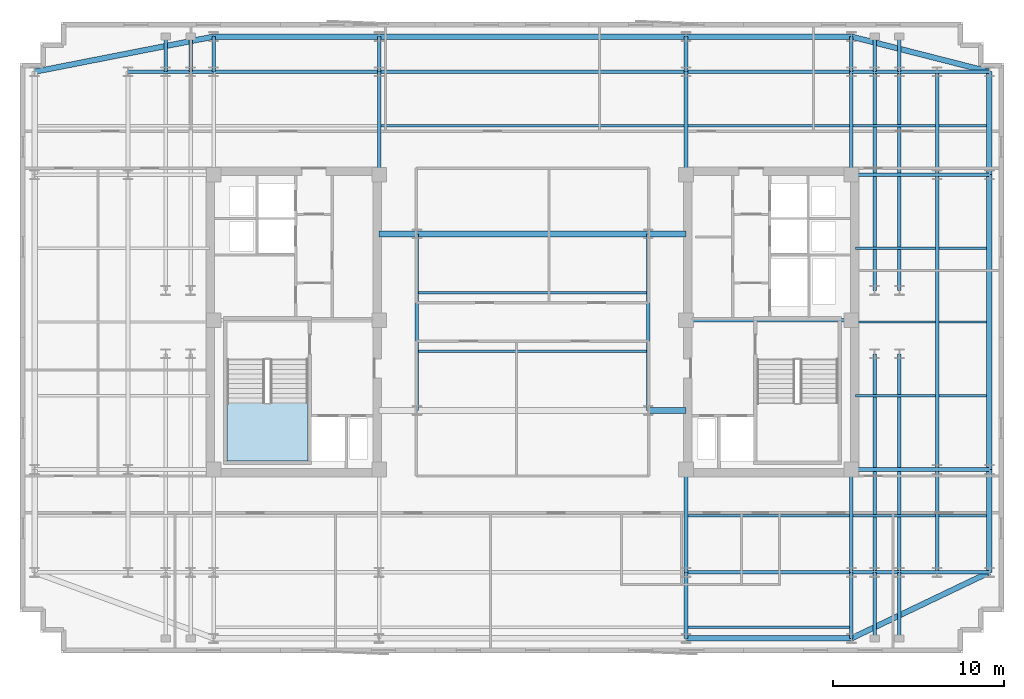
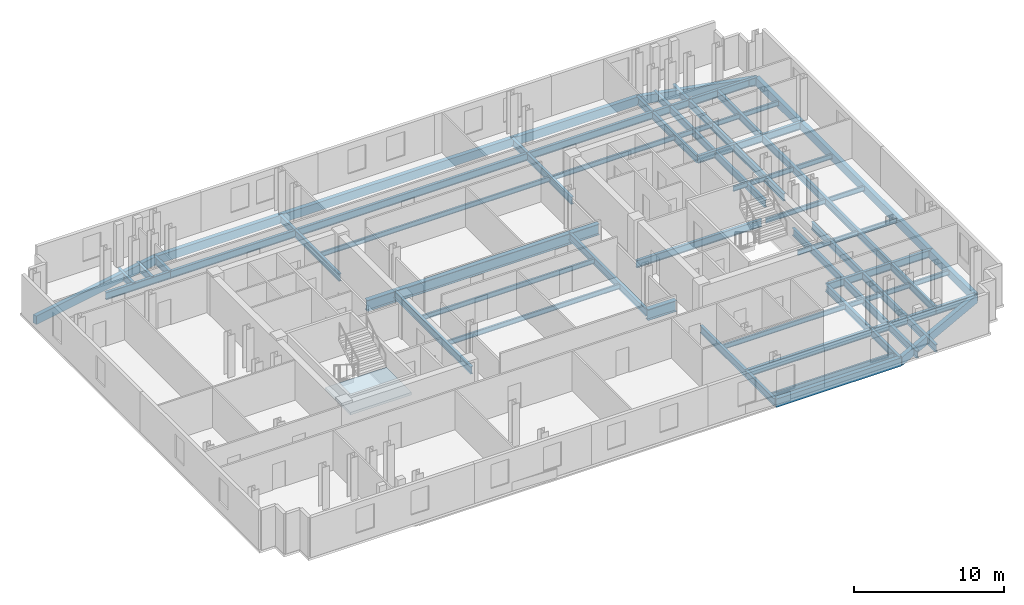
# One storey, part 2 of 9: 70 beams, 1 slab, 1 element without a shape of its own.
"""IFC4 building model written with IfcOpenShell, lengths in metres."""

from ifc_helpers import new_model, si_unit, direction, frame, origin, origin_2d, place, context, subcontext, project, spatial, polyline, rectangle, i_section, outline, extrude, material, layer, layer_set, material_profile, profile_set, type_object, element, aggregate, save


model = new_model("IFC4")

# Units and contexts
model_context = context("Model", 3, precision=1e-05, world=origin(), true_north=direction((0.0, 1.0)))
body_context = subcontext(model_context, "Body", "Model", "MODEL_VIEW")
ifc_project = project(units=[si_unit("LENGTHUNIT", "METRE"), si_unit("AREAUNIT", "SQUARE_METRE"), si_unit("VOLUMEUNIT", "CUBIC_METRE"), si_unit("PLANEANGLEUNIT", "RADIAN"), si_unit("MASSUNIT", "GRAM", prefix="KILO")], contexts=[model_context])

# Site, building, storey
site_placement = place(None, origin())
site = spatial("IfcSite", under=ifc_project, at=site_placement, CompositionType="ELEMENT")
building_placement = place(site_placement, origin())
building = spatial("IfcBuilding", under=site, at=building_placement, Name="Velakula Bourse", CompositionType="ELEMENT")
storey_placement = place(building_placement, frame((0.0, 0.0, 225.75)))
storey = spatial("IfcBuildingStorey", under=building, at=storey_placement, Name="L61", CompositionType="ELEMENT", Elevation=225.75)

# Beams
ifc_material_1 = material(Name="Steel IS 2062 Grade 350 (E350)", Category="steel")
ifc_material_profile_1 = material_profile(ifc_material_1, i_section(OverallWidth=0.2099609375, OverallDepth=0.60009765625, WebThickness=0.011962890625, FlangeThickness=0.020751953125, at=origin_2d()), Name="Steel IS 2062 Grade 350 (E350)")
ifc_profile_set_1 = profile_set([ifc_material_profile_1], Name="Steel IS 2062 Grade 350 (E350)")
beam_type_1 = type_object("IfcBeamType", Name="BM-GRD-600L", PredefinedType="BEAM", material=ifc_profile_set_1)
beam_1_placement = place(storey_placement, frame((8.949951171875, 0.10009765625, -0.47998046875), z_axis=(1.0, 0.0, 0.0), x_axis=(0.0, 1.0, 0.0)))
element("IfcBeam", 1, at=beam_1_placement, inside=storey, type_object=beam_type_1, Name="L61 Primary Backbone Girder CRE-M", PredefinedType="BEAM", context=body_context, shape_type="SweptSolid", body=[
    extrude(i_section(OverallWidth=0.2099609375, OverallDepth=0.60009765625, WebThickness=0.011962890625, FlangeThickness=0.020751953125, at=origin_2d()), origin(), (0.0, 0.0, 1.0), 9.650146484375),
])
for number, where, z_axis, x_axis, name in (
    (2, (-6.75, -5.14990234375, -0.47998046875), (0.0, 1.0, 0.0), (-1.0, 0.0, 0.0), "L61 Primary Backbone Girder SPN-W"),
    (3, (6.75, -5.14990234375, -0.47998046875), (0.0, 1.0, 0.0), (-1.0, 0.0, 0.0), "L61 Primary Backbone Girder SPN-E"),
):
    element("IfcBeam", number, at=place(storey_placement, frame(where, z_axis=z_axis, x_axis=x_axis)), inside=storey, type_object=beam_type_1, Name=name, PredefinedType="BEAM", context=body_context, shape_type="SweptSolid", body=[
        extrude(i_section(OverallWidth=0.2099609375, OverallDepth=0.60009765625, WebThickness=0.011962890625, FlangeThickness=0.020751953125, at=origin_2d()), origin(), (0.0, 0.0, 1.0), 10.2998046875),
    ])
for number, where, z_axis, x_axis, name in (
    (4, (-8.949951171875, 8.60009765625, -0.47998046875), (0.0, 1.0, 0.0), (-1.0, 0.0, 0.0), "L61 Fulcrum Grid Girder FLC-WCN"),
    (5, (8.949951171875, -14.60009765625, -0.47998046875), (0.0, 1.0, 0.0), (-1.0, 0.0, 0.0), "L61 Fulcrum Grid Girder FLC-ECS"),
    (6, (8.949951171875, 8.60009765625, -0.47998046875), (0.0, 1.0, 0.0), (-1.0, 0.0, 0.0), "L61 Fulcrum Grid Girder FLC-ECN"),
    (7, (18.60009765625, -14.60009765625, -0.47998046875), (0.0, 1.0, 0.0), (-1.0, 0.0, 0.0), "L61 Fulcrum Grid Girder FLC-ES"),
    (8, (18.60009765625, 8.60009765625, -0.47998046875), (0.0, 1.0, 0.0), (-1.0, 0.0, 0.0), "L61 Fulcrum Grid Girder FLC-EN"),
):
    element("IfcBeam", number, at=place(storey_placement, frame(where, z_axis=z_axis, x_axis=x_axis)), inside=storey, type_object=beam_type_1, Name=name, PredefinedType="BEAM", context=body_context, shape_type="SweptSolid", body=[
        extrude(i_section(OverallWidth=0.2099609375, OverallDepth=0.60009765625, WebThickness=0.011962890625, FlangeThickness=0.020751953125, at=origin_2d()), origin(), (0.0, 0.0, 1.0), 6.0),
    ])
for number, where, z_axis, x_axis, name in (
    (9, (8.949951171875, -14.60009765625, -0.47998046875), (1.0, 0.0, 0.0), (0.0, 1.0, 0.0), "L61 Fulcrum Grid Girder FLC-S3"),
    (10, (-18.60009765625, 14.60009765625, -0.47998046875), (1.0, 0.0, 0.0), (0.0, 1.0, 0.0), "L61 Fulcrum Grid Girder FLC-N1"),
):
    element("IfcBeam", number, at=place(storey_placement, frame(where, z_axis=z_axis, x_axis=x_axis)), inside=storey, type_object=beam_type_1, Name=name, PredefinedType="BEAM", context=body_context, shape_type="SweptSolid", body=[
        extrude(i_section(OverallWidth=0.2099609375, OverallDepth=0.60009765625, WebThickness=0.011962890625, FlangeThickness=0.020751953125, at=origin_2d()), origin(), (0.0, 0.0, 1.0), 9.650146484375),
    ])
beam_2_placement = place(storey_placement, frame((-8.949951171875, 14.60009765625, -0.47998046875), z_axis=(1.0, 0.0, 0.0), x_axis=(0.0, 1.0, 0.0)))
element("IfcBeam", 11, at=beam_2_placement, inside=storey, type_object=beam_type_1, Name="L61 Fulcrum Grid Girder FLC-N2", PredefinedType="BEAM", context=body_context, shape_type="SweptSolid", body=[
    extrude(i_section(OverallWidth=0.2099609375, OverallDepth=0.60009765625, WebThickness=0.011962890625, FlangeThickness=0.020751953125, at=origin_2d()), origin(), (0.0, 0.0, 1.0), 17.89990234375),
])
beam_3_placement = place(storey_placement, frame((8.949951171875, 14.60009765625, -0.47998046875), z_axis=(1.0, 0.0, 0.0), x_axis=(0.0, 1.0, 0.0)))
element("IfcBeam", 12, at=beam_3_placement, inside=storey, type_object=beam_type_1, Name="L61 Fulcrum Grid Girder FLC-N3", PredefinedType="BEAM", context=body_context, shape_type="SweptSolid", body=[
    extrude(i_section(OverallWidth=0.2099609375, OverallDepth=0.60009765625, WebThickness=0.011962890625, FlangeThickness=0.020751953125, at=origin_2d()), origin(), (0.0, 0.0, 1.0), 9.650146484375),
])
for number, where, z_axis, x_axis, name in (
    (13, (19.949951171875, -14.60009765625, -0.47998046875), (0.0, 1.0, 0.0), (-1.0, 0.0, 0.0), "L61 Fulcrum Grid Girder FLC-PSE1"),
    (14, (19.949951171875, 1.85009765625, -0.47998046875), (0.0, 1.0, 0.0), (-1.0, 0.0, 0.0), "L61 Fulcrum Grid Girder FLC-PNE1"),
    (15, (21.39990234375, -14.60009765625, -0.47998046875), (0.0, 1.0, 0.0), (-1.0, 0.0, 0.0), "L61 Fulcrum Grid Girder FLC-PSE2"),
    (16, (21.39990234375, 1.85009765625, -0.47998046875), (0.0, 1.0, 0.0), (-1.0, 0.0, 0.0), "L61 Fulcrum Grid Girder FLC-PNE2"),
):
    element("IfcBeam", number, at=place(storey_placement, frame(where, z_axis=z_axis, x_axis=x_axis)), inside=storey, type_object=beam_type_1, Name=name, PredefinedType="BEAM", context=body_context, shape_type="SweptSolid", body=[
        extrude(i_section(OverallWidth=0.2099609375, OverallDepth=0.60009765625, WebThickness=0.011962890625, FlangeThickness=0.020751953125, at=origin_2d()), origin(), (0.0, 0.0, 1.0), 12.75),
    ])
for number, where, z_axis, x_axis, name in (
    (17, (-23.60009765625, 14.60009765625, -0.47998046875), (1.0, 0.0, 0.0), (0.0, 1.0, 0.0), "L61 Fulcrum Grid Girder MWG-WN2"),
    (18, (18.60009765625, -14.60009765625, -0.47998046875), (1.0, 0.0, 0.0), (0.0, 1.0, 0.0), "L61 Fulcrum Grid Girder MWG-ES1"),
    (19, (18.60009765625, -8.60009765625, -0.47998046875), (1.0, 0.0, 0.0), (0.0, 1.0, 0.0), "L61 Fulcrum Grid Girder MWG-ES2"),
    (20, (18.60009765625, 8.60009765625, -0.47998046875), (1.0, 0.0, 0.0), (0.0, 1.0, 0.0), "L61 Fulcrum Grid Girder MWG-EN1"),
    (21, (18.60009765625, 14.60009765625, -0.47998046875), (1.0, 0.0, 0.0), (0.0, 1.0, 0.0), "L61 Fulcrum Grid Girder MWG-EN2"),
):
    element("IfcBeam", number, at=place(storey_placement, frame(where, z_axis=z_axis, x_axis=x_axis)), inside=storey, type_object=beam_type_1, Name=name, PredefinedType="BEAM", context=body_context, shape_type="SweptSolid", body=[
        extrude(i_section(OverallWidth=0.2099609375, OverallDepth=0.60009765625, WebThickness=0.011962890625, FlangeThickness=0.020751953125, at=origin_2d()), origin(), (0.0, 0.0, 1.0), 5.0),
    ])
beam_4_placement = place(storey_placement, frame((23.60009765625, -14.60009765625, -0.47998046875), z_axis=(0.0, 1.0, 0.0), x_axis=(-1.0, 0.0, 0.0)))
element("IfcBeam", 22, at=beam_4_placement, inside=storey, type_object=beam_type_1, Name="L61 Fulcrum Grid Girder MWG-ENS1", PredefinedType="BEAM", context=body_context, shape_type="SweptSolid", body=[
    extrude(i_section(OverallWidth=0.2099609375, OverallDepth=0.60009765625, WebThickness=0.011962890625, FlangeThickness=0.020751953125, at=origin_2d()), origin(), (0.0, 0.0, 1.0), 6.0),
])
beam_5_placement = place(storey_placement, frame((23.60009765625, -8.60009765625, -0.47998046875), z_axis=(0.0, 1.0, 0.0), x_axis=(-1.0, 0.0, 0.0)))
element("IfcBeam", 23, at=beam_5_placement, inside=storey, type_object=beam_type_1, Name="L61 Fulcrum Grid Girder MWG-ENS2", PredefinedType="BEAM", context=body_context, shape_type="SweptSolid", body=[
    extrude(i_section(OverallWidth=0.2099609375, OverallDepth=0.60009765625, WebThickness=0.011962890625, FlangeThickness=0.020751953125, at=origin_2d()), origin(), (0.0, 0.0, 1.0), 17.2001953125),
])
beam_6_placement = place(storey_placement, frame((23.60009765625, 8.60009765625, -0.47998046875), z_axis=(0.0, 1.0, 0.0), x_axis=(-1.0, 0.0, 0.0)))
element("IfcBeam", 24, at=beam_6_placement, inside=storey, type_object=beam_type_1, Name="L61 Fulcrum Grid Girder MWG-ENS3", PredefinedType="BEAM", context=body_context, shape_type="SweptSolid", body=[
    extrude(i_section(OverallWidth=0.2099609375, OverallDepth=0.60009765625, WebThickness=0.011962890625, FlangeThickness=0.020751953125, at=origin_2d()), origin(), (0.0, 0.0, 1.0), 6.0),
])
for number, where, z_axis, x_axis, name in (
    (25, (8.949951171875, -14.60009765625, -0.47998046875), (0.0, -1.0, 0.0), (1.0, 0.0, 0.0), "L61 Perimeter Tie Girder S3"),
    (26, (18.60009765625, -14.60009765625, -0.47998046875), (0.0, -1.0, 0.0), (1.0, 0.0, 0.0), "L61 Perimeter Tie Girder S4"),
):
    element("IfcBeam", number, at=place(storey_placement, frame(where, z_axis=z_axis, x_axis=x_axis)), inside=storey, type_object=beam_type_1, Name=name, PredefinedType="BEAM", context=body_context, shape_type="SweptSolid", body=[
        extrude(i_section(OverallWidth=0.2099609375, OverallDepth=0.60009765625, WebThickness=0.011962890625, FlangeThickness=0.020751953125, at=origin_2d()), origin(), (0.0, 0.0, 1.0), 3.849853515625),
    ])
for number, where, z_axis, x_axis, name in (
    (27, (-18.60009765625, 14.60009765625, -0.47998046875), (0.0, 1.0, 0.0), (-1.0, 0.0, 0.0), "L61 Perimeter Tie Girder N1"),
    (28, (-8.949951171875, 14.60009765625, -0.47998046875), (0.0, 1.0, 0.0), (-1.0, 0.0, 0.0), "L61 Perimeter Tie Girder N2"),
    (29, (8.949951171875, 14.60009765625, -0.47998046875), (0.0, 1.0, 0.0), (-1.0, 0.0, 0.0), "L61 Perimeter Tie Girder N3"),
    (30, (18.60009765625, 14.60009765625, -0.47998046875), (0.0, 1.0, 0.0), (-1.0, 0.0, 0.0), "L61 Perimeter Tie Girder N4"),
):
    element("IfcBeam", number, at=place(storey_placement, frame(where, z_axis=z_axis, x_axis=x_axis)), inside=storey, type_object=beam_type_1, Name=name, PredefinedType="BEAM", context=body_context, shape_type="SweptSolid", body=[
        extrude(i_section(OverallWidth=0.2099609375, OverallDepth=0.60009765625, WebThickness=0.011962890625, FlangeThickness=0.020751953125, at=origin_2d()), origin(), (0.0, 0.0, 1.0), 2.0498046875),
    ])
for number, where, z_axis, x_axis, name in (
    (31, (23.60009765625, -14.60009765625, -0.47998046875), (1.0, 0.0, 0.0), (0.0, 1.0, 0.0), "L61 Perimeter Tie Girder E1"),
    (32, (23.60009765625, -8.60009765625, -0.47998046875), (1.0, 0.0, 0.0), (0.0, 1.0, 0.0), "L61 Perimeter Tie Girder E2"),
    (33, (23.60009765625, 8.60009765625, -0.47998046875), (1.0, 0.0, 0.0), (0.0, 1.0, 0.0), "L61 Perimeter Tie Girder E3"),
    (34, (23.60009765625, 14.60009765625, -0.47998046875), (1.0, 0.0, 0.0), (0.0, 1.0, 0.0), "L61 Perimeter Tie Girder E4"),
):
    element("IfcBeam", number, at=place(storey_placement, frame(where, z_axis=z_axis, x_axis=x_axis)), inside=storey, type_object=beam_type_1, Name=name, PredefinedType="BEAM", context=body_context, shape_type="SweptSolid", body=[
        extrude(i_section(OverallWidth=0.2099609375, OverallDepth=0.60009765625, WebThickness=0.011962890625, FlangeThickness=0.020751953125, at=origin_2d()), origin(), (0.0, 0.0, 1.0), 3.0498046875),
    ])
for number, where, z_axis, x_axis, name in (
    (35, (19.949951171875, -14.60009765625, -0.47998046875), (0.0, -1.0, 0.0), (1.0, 0.0, 0.0), "L61 Perimeter Tie Girder P03"),
    (36, (21.39990234375, -14.60009765625, -0.47998046875), (0.0, -1.0, 0.0), (1.0, 0.0, 0.0), "L61 Perimeter Tie Girder P04"),
):
    element("IfcBeam", number, at=place(storey_placement, frame(where, z_axis=z_axis, x_axis=x_axis)), inside=storey, type_object=beam_type_1, Name=name, PredefinedType="BEAM", context=body_context, shape_type="SweptSolid", body=[
        extrude(i_section(OverallWidth=0.2099609375, OverallDepth=0.60009765625, WebThickness=0.011962890625, FlangeThickness=0.020751953125, at=origin_2d()), origin(), (0.0, 0.0, 1.0), 3.849853515625),
    ])
for number, where, z_axis, x_axis, name in (
    (37, (-21.39990234375, 14.60009765625, -0.47998046875), (0.0, 1.0, 0.0), (-1.0, 0.0, 0.0), "L61 Perimeter Tie Girder P05"),
    (38, (-19.949951171875, 14.60009765625, -0.47998046875), (0.0, 1.0, 0.0), (-1.0, 0.0, 0.0), "L61 Perimeter Tie Girder P06"),
    (39, (19.949951171875, 14.60009765625, -0.47998046875), (0.0, 1.0, 0.0), (-1.0, 0.0, 0.0), "L61 Perimeter Tie Girder P07"),
    (40, (21.39990234375, 14.60009765625, -0.47998046875), (0.0, 1.0, 0.0), (-1.0, 0.0, 0.0), "L61 Perimeter Tie Girder P08"),
):
    element("IfcBeam", number, at=place(storey_placement, frame(where, z_axis=z_axis, x_axis=x_axis)), inside=storey, type_object=beam_type_1, Name=name, PredefinedType="BEAM", context=body_context, shape_type="SweptSolid", body=[
        extrude(i_section(OverallWidth=0.2099609375, OverallDepth=0.60009765625, WebThickness=0.011962890625, FlangeThickness=0.020751953125, at=origin_2d()), origin(), (0.0, 0.0, 1.0), 2.0498046875),
    ])
ifc_material_profile_2 = material_profile(ifc_material_1, i_section(OverallWidth=0.35009765625, OverallDepth=0.89990234375, WebThickness=0.02001953125, FlangeThickness=0.031982421875, at=origin_2d()), Name="Steel IS 2062 Grade 350 (E350)")
ifc_profile_set_2 = profile_set([ifc_material_profile_2], Name="Steel IS 2062 Grade 350 (E350)")
beam_type_2 = type_object("IfcBeamType", Name="BM-LNK-900", PredefinedType="BEAM", material=ifc_profile_set_2)
for number, where, z_axis, x_axis, name in (
    (41, (6.75, -5.14990234375, -0.6298828125), (1.0, 0.0, 0.0), (0.0, 1.0, 0.0), "L61 Primary Backbone Girder LNK-S3"),
    (42, (-8.949951171875, 5.14990234375, -0.6298828125), (1.0, 0.0, 0.0), (0.0, 1.0, 0.0), "L61 Primary Backbone Girder LNK-N1"),
):
    element("IfcBeam", number, at=place(storey_placement, frame(where, z_axis=z_axis, x_axis=x_axis)), inside=storey, type_object=beam_type_2, Name=name, PredefinedType="BEAM", context=body_context, shape_type="SweptSolid", body=[
        extrude(i_section(OverallWidth=0.35009765625, OverallDepth=0.89990234375, WebThickness=0.02001953125, FlangeThickness=0.031982421875, at=origin_2d()), origin(), (0.0, 0.0, 1.0), 2.199951171875),
    ])
beam_7_placement = place(storey_placement, frame((-6.75, 5.14990234375, -0.6298828125), z_axis=(1.0, 0.0, 0.0), x_axis=(0.0, 1.0, 0.0)))
element("IfcBeam", 43, at=beam_7_placement, inside=storey, type_object=beam_type_2, Name="L61 Primary Backbone Girder LNK-N2", PredefinedType="BEAM", context=body_context, shape_type="SweptSolid", body=[
    extrude(i_section(OverallWidth=0.35009765625, OverallDepth=0.89990234375, WebThickness=0.02001953125, FlangeThickness=0.031982421875, at=origin_2d()), origin(), (0.0, 0.0, 1.0), 13.5),
])
beam_8_placement = place(storey_placement, frame((6.75, 5.14990234375, -0.6298828125), z_axis=(1.0, 0.0, 0.0), x_axis=(0.0, 1.0, 0.0)))
element("IfcBeam", 44, at=beam_8_placement, inside=storey, type_object=beam_type_2, Name="L61 Primary Backbone Girder LNK-N3", PredefinedType="BEAM", context=body_context, shape_type="SweptSolid", body=[
    extrude(i_section(OverallWidth=0.35009765625, OverallDepth=0.89990234375, WebThickness=0.02001953125, FlangeThickness=0.031982421875, at=origin_2d()), origin(), (0.0, 0.0, 1.0), 2.199951171875),
])
ifc_material_profile_3 = material_profile(ifc_material_1, i_section(OverallWidth=0.139892578125, OverallDepth=0.39990234375, WebThickness=0.0087890625, FlangeThickness=0.01611328125, at=origin_2d()), Name="Steel IS 2062 Grade 350 (E350)")
ifc_profile_set_3 = profile_set([ifc_material_profile_3], Name="Steel IS 2062 Grade 350 (E350)")
beam_type_3 = type_object("IfcBeamType", Name="JST-TWR-400", PredefinedType="JOIST", material=ifc_profile_set_3)
for number, where, z_axis, x_axis, name in (
    (45, (9.054931640625, -17.800048828125, -0.3798828125), (1.0, 0.0, 0.0), (0.0, 1.0, 0.0), "L61 Trading Floor Composite Joist 03"),
    (46, (9.054931640625, -11.300048828125, -0.3798828125), (1.0, 0.0, 0.0), (0.0, 1.0, 0.0), "L61 Trading Floor Composite Joist 08"),
):
    element("IfcBeam", number, at=place(storey_placement, frame(where, z_axis=z_axis, x_axis=x_axis)), inside=storey, type_object=beam_type_3, Name=name, PredefinedType="JOIST", context=body_context, shape_type="SweptSolid", body=[
        extrude(i_section(OverallWidth=0.139892578125, OverallDepth=0.39990234375, WebThickness=0.0087890625, FlangeThickness=0.01611328125, at=origin_2d()), origin(), (0.0, 0.0, 1.0), 9.440185546875),
    ])
beam_9_placement = place(storey_placement, frame((18.705078125, -11.300048828125, -0.3798828125), z_axis=(1.0, 0.0, 0.0), x_axis=(0.0, 1.0, 0.0)))
element("IfcBeam", 47, at=beam_9_placement, inside=storey, type_object=beam_type_3, Name="L61 Trading Floor Composite Joist 09", PredefinedType="JOIST", context=body_context, shape_type="SweptSolid", body=[
    extrude(i_section(OverallWidth=0.139892578125, OverallDepth=0.39990234375, WebThickness=0.0087890625, FlangeThickness=0.01611328125, at=origin_2d()), origin(), (0.0, 0.0, 1.0), 4.7900390625),
])
beam_10_placement = place(storey_placement, frame((23.705078125, -11.300048828125, -0.3798828125), z_axis=(1.0, 0.0, 0.0), x_axis=(0.0, 1.0, 0.0)))
element("IfcBeam", 48, at=beam_10_placement, inside=storey, type_object=beam_type_3, Name="L61 Trading Floor Composite Joist 10", PredefinedType="JOIST", context=body_context, shape_type="SweptSolid", body=[
    extrude(i_section(OverallWidth=0.139892578125, OverallDepth=0.39990234375, WebThickness=0.0087890625, FlangeThickness=0.01611328125, at=origin_2d()), origin(), (0.0, 0.0, 1.0), 2.784912109375),
])
beam_11_placement = place(storey_placement, frame((-8.844970703125, 11.449951171875, -0.3798828125), z_axis=(1.0, 0.0, 0.0), x_axis=(0.0, 1.0, 0.0)))
element("IfcBeam", 49, at=beam_11_placement, inside=storey, type_object=beam_type_3, Name="L61 Trading Floor Composite Joist 14", PredefinedType="JOIST", context=body_context, shape_type="SweptSolid", body=[
    extrude(i_section(OverallWidth=0.139892578125, OverallDepth=0.39990234375, WebThickness=0.0087890625, FlangeThickness=0.01611328125, at=origin_2d()), origin(), (0.0, 0.0, 1.0), 17.68994140625),
])
beam_12_placement = place(storey_placement, frame((9.054931640625, 11.449951171875, -0.3798828125), z_axis=(1.0, 0.0, 0.0), x_axis=(0.0, 1.0, 0.0)))
element("IfcBeam", 50, at=beam_12_placement, inside=storey, type_object=beam_type_3, Name="L61 Trading Floor Composite Joist 15", PredefinedType="JOIST", context=body_context, shape_type="SweptSolid", body=[
    extrude(i_section(OverallWidth=0.139892578125, OverallDepth=0.39990234375, WebThickness=0.0087890625, FlangeThickness=0.01611328125, at=origin_2d()), origin(), (0.0, 0.0, 1.0), 9.440185546875),
])
beam_13_placement = place(storey_placement, frame((18.705078125, 11.449951171875, -0.3798828125), z_axis=(1.0, 0.0, 0.0), x_axis=(0.0, 1.0, 0.0)))
element("IfcBeam", 51, at=beam_13_placement, inside=storey, type_object=beam_type_3, Name="L61 Trading Floor Composite Joist 16", PredefinedType="JOIST", context=body_context, shape_type="SweptSolid", body=[
    extrude(i_section(OverallWidth=0.139892578125, OverallDepth=0.39990234375, WebThickness=0.0087890625, FlangeThickness=0.01611328125, at=origin_2d()), origin(), (0.0, 0.0, 1.0), 4.7900390625),
])
beam_14_placement = place(storey_placement, frame((23.705078125, 11.449951171875, -0.3798828125), z_axis=(1.0, 0.0, 0.0), x_axis=(0.0, 1.0, 0.0)))
element("IfcBeam", 52, at=beam_14_placement, inside=storey, type_object=beam_type_3, Name="L61 Trading Floor Composite Joist 17", PredefinedType="JOIST", context=body_context, shape_type="SweptSolid", body=[
    extrude(i_section(OverallWidth=0.139892578125, OverallDepth=0.39990234375, WebThickness=0.0087890625, FlangeThickness=0.01611328125, at=origin_2d()), origin(), (0.0, 0.0, 1.0), 2.784912109375),
])
for number, where, z_axis, x_axis, name in (
    (53, (-6.64501953125, -1.699951171875, -0.3798828125), (1.0, 0.0, 0.0), (0.0, 1.0, 0.0), "L61 Trading Floor Composite Joist 18"),
    (54, (-6.64501953125, 1.699951171875, -0.3798828125), (1.0, 0.0, 0.0), (0.0, 1.0, 0.0), "L61 Trading Floor Composite Joist 19"),
):
    element("IfcBeam", number, at=place(storey_placement, frame(where, z_axis=z_axis, x_axis=x_axis)), inside=storey, type_object=beam_type_3, Name=name, PredefinedType="JOIST", context=body_context, shape_type="SweptSolid", body=[
        extrude(i_section(OverallWidth=0.139892578125, OverallDepth=0.39990234375, WebThickness=0.0087890625, FlangeThickness=0.01611328125, at=origin_2d()), origin(), (0.0, 0.0, 1.0), 13.2900390625),
    ])
beam_15_placement = place(storey_placement, frame((18.85009765625, -4.300048828125, -0.3798828125), z_axis=(1.0, 0.0, 0.0), x_axis=(0.0, 1.0, 0.0)))
element("IfcBeam", 55, at=beam_15_placement, inside=storey, type_object=beam_type_3, Name="L61 Trading Floor Composite Joist 22", PredefinedType="JOIST", context=body_context, shape_type="SweptSolid", body=[
    extrude(i_section(OverallWidth=0.139892578125, OverallDepth=0.39990234375, WebThickness=0.0087890625, FlangeThickness=0.01611328125, at=origin_2d()), origin(), (0.0, 0.0, 1.0), 4.64501953125),
])
beam_16_placement = place(storey_placement, frame((23.705078125, -4.300048828125, -0.3798828125), z_axis=(1.0, 0.0, 0.0), x_axis=(0.0, 1.0, 0.0)))
element("IfcBeam", 56, at=beam_16_placement, inside=storey, type_object=beam_type_3, Name="L61 Trading Floor Composite Joist 23", PredefinedType="JOIST", context=body_context, shape_type="SweptSolid", body=[
    extrude(i_section(OverallWidth=0.139892578125, OverallDepth=0.39990234375, WebThickness=0.0087890625, FlangeThickness=0.01611328125, at=origin_2d()), origin(), (0.0, 0.0, 1.0), 2.784912109375),
])
beam_17_placement = place(storey_placement, frame((18.85009765625, 0.0, -0.3798828125), z_axis=(1.0, 0.0, 0.0), x_axis=(0.0, 1.0, 0.0)))
element("IfcBeam", 57, at=beam_17_placement, inside=storey, type_object=beam_type_3, Name="L61 Trading Floor Composite Joist 26", PredefinedType="JOIST", context=body_context, shape_type="SweptSolid", body=[
    extrude(i_section(OverallWidth=0.139892578125, OverallDepth=0.39990234375, WebThickness=0.0087890625, FlangeThickness=0.01611328125, at=origin_2d()), origin(), (0.0, 0.0, 1.0), 4.64501953125),
])
beam_18_placement = place(storey_placement, frame((23.705078125, 0.0, -0.3798828125), z_axis=(1.0, 0.0, 0.0), x_axis=(0.0, 1.0, 0.0)))
element("IfcBeam", 58, at=beam_18_placement, inside=storey, type_object=beam_type_3, Name="L61 Trading Floor Composite Joist 27", PredefinedType="JOIST", context=body_context, shape_type="SweptSolid", body=[
    extrude(i_section(OverallWidth=0.139892578125, OverallDepth=0.39990234375, WebThickness=0.0087890625, FlangeThickness=0.01611328125, at=origin_2d()), origin(), (0.0, 0.0, 1.0), 2.784912109375),
])
beam_19_placement = place(storey_placement, frame((18.85009765625, 4.300048828125, -0.3798828125), z_axis=(1.0, 0.0, 0.0), x_axis=(0.0, 1.0, 0.0)))
element("IfcBeam", 59, at=beam_19_placement, inside=storey, type_object=beam_type_3, Name="L61 Trading Floor Composite Joist 30", PredefinedType="JOIST", context=body_context, shape_type="SweptSolid", body=[
    extrude(i_section(OverallWidth=0.139892578125, OverallDepth=0.39990234375, WebThickness=0.0087890625, FlangeThickness=0.01611328125, at=origin_2d()), origin(), (0.0, 0.0, 1.0), 4.64501953125),
])
beam_20_placement = place(storey_placement, frame((23.705078125, 4.300048828125, -0.3798828125), z_axis=(1.0, 0.0, 0.0), x_axis=(0.0, 1.0, 0.0)))
element("IfcBeam", 60, at=beam_20_placement, inside=storey, type_object=beam_type_3, Name="L61 Trading Floor Composite Joist 31", PredefinedType="JOIST", context=body_context, shape_type="SweptSolid", body=[
    extrude(i_section(OverallWidth=0.139892578125, OverallDepth=0.39990234375, WebThickness=0.0087890625, FlangeThickness=0.01611328125, at=origin_2d()), origin(), (0.0, 0.0, 1.0), 2.784912109375),
])
ifc_material_2 = material(Name="Precast concrete M45 (fck 45 MPa)", Category="concrete")
ifc_material_profile_4 = material_profile(ifc_material_2, rectangle(XDim=0.320068359375, YDim=0.679931640625, at=origin_2d()), Name="Precast concrete M45 (fck 45 MPa)")
ifc_profile_set_4 = profile_set([ifc_material_profile_4], Name="Precast concrete M45 (fck 45 MPa)")
beam_type_4 = type_object("IfcBeamType", Name="SPN-BRICK-680", PredefinedType="SPANDREL", material=ifc_profile_set_4)
for number, where, z_axis, x_axis, name in (
    (61, (8.949951171875, -18.449951171875, -0.52001953125), (1.0, 0.0, 0.0), (0.0, 1.0, 0.0), "L61 Brick-Faced Precast Spandrel S3-S4"),
    (62, (-18.60009765625, 16.64990234375, -0.52001953125), (1.0, 0.0, 0.0), (0.0, 1.0, 0.0), "L61 Brick-Faced Precast Spandrel N1-N2"),
):
    element("IfcBeam", number, at=place(storey_placement, frame(where, z_axis=z_axis, x_axis=x_axis)), inside=storey, type_object=beam_type_4, Name=name, PredefinedType="SPANDREL", context=body_context, shape_type="SweptSolid", body=[
        extrude(rectangle(XDim=0.320068359375, YDim=0.679931640625, at=origin_2d()), origin(), (0.0, 0.0, 1.0), 9.650146484375),
    ])
beam_21_placement = place(storey_placement, frame((-8.949951171875, 16.64990234375, -0.52001953125), z_axis=(1.0, 0.0, 0.0), x_axis=(0.0, 1.0, 0.0)))
element("IfcBeam", 63, at=beam_21_placement, inside=storey, type_object=beam_type_4, Name="L61 Brick-Faced Precast Spandrel N2-N3", PredefinedType="SPANDREL", context=body_context, shape_type="SweptSolid", body=[
    extrude(rectangle(XDim=0.320068359375, YDim=0.679931640625, at=origin_2d()), origin(), (0.0, 0.0, 1.0), 17.89990234375),
])
beam_22_placement = place(storey_placement, frame((8.949951171875, 16.64990234375, -0.52001953125), z_axis=(1.0, 0.0, 0.0), x_axis=(0.0, 1.0, 0.0)))
element("IfcBeam", 64, at=beam_22_placement, inside=storey, type_object=beam_type_4, Name="L61 Brick-Faced Precast Spandrel N3-N4", PredefinedType="SPANDREL", context=body_context, shape_type="SweptSolid", body=[
    extrude(rectangle(XDim=0.320068359375, YDim=0.679931640625, at=origin_2d()), origin(), (0.0, 0.0, 1.0), 9.650146484375),
])
beam_23_placement = place(storey_placement, frame((26.64990234375, -14.60009765625, -0.52001953125), z_axis=(0.0, 1.0, 0.0), x_axis=(-1.0, 0.0, 0.0)))
element("IfcBeam", 65, at=beam_23_placement, inside=storey, type_object=beam_type_4, Name="L61 Brick-Faced Precast Spandrel E1-E2", PredefinedType="SPANDREL", context=body_context, shape_type="SweptSolid", body=[
    extrude(rectangle(XDim=0.320068359375, YDim=0.679931640625, at=origin_2d()), origin(), (0.0, 0.0, 1.0), 6.0),
])
beam_24_placement = place(storey_placement, frame((26.64990234375, -8.60009765625, -0.52001953125), z_axis=(0.0, 1.0, 0.0), x_axis=(-1.0, 0.0, 0.0)))
element("IfcBeam", 66, at=beam_24_placement, inside=storey, type_object=beam_type_4, Name="L61 Brick-Faced Precast Spandrel E2-E3", PredefinedType="SPANDREL", context=body_context, shape_type="SweptSolid", body=[
    extrude(rectangle(XDim=0.320068359375, YDim=0.679931640625, at=origin_2d()), origin(), (0.0, 0.0, 1.0), 17.2001953125),
])
beam_25_placement = place(storey_placement, frame((26.64990234375, 8.60009765625, -0.52001953125), z_axis=(0.0, 1.0, 0.0), x_axis=(-1.0, 0.0, 0.0)))
element("IfcBeam", 67, at=beam_25_placement, inside=storey, type_object=beam_type_4, Name="L61 Brick-Faced Precast Spandrel E3-E4", PredefinedType="SPANDREL", context=body_context, shape_type="SweptSolid", body=[
    extrude(rectangle(XDim=0.320068359375, YDim=0.679931640625, at=origin_2d()), origin(), (0.0, 0.0, 1.0), 6.0),
])
beam_26_placement = place(storey_placement, frame((18.60009765625, -18.449951171875, -0.52001953125), z_axis=(0.902136536758, 0.431450656561, 0.0), x_axis=(-0.431450656561, 0.902136536758, 0.0)))
element("IfcBeam", 68, at=beam_26_placement, inside=storey, type_object=beam_type_4, Name="L61 Brick-Faced Precast Spandrel S4-E1", PredefinedType="SPANDREL", context=body_context, shape_type="SweptSolid", body=[
    extrude(rectangle(XDim=0.320068359375, YDim=0.679931640625, at=origin_2d()), origin(), (0.0, 0.0, 1.0), 8.923095703125),
])
beam_27_placement = place(storey_placement, frame((26.64990234375, 14.60009765625, -0.52001953125), z_axis=(-0.969075197656, 0.246765599888, 0.0), x_axis=(-0.246765599888, -0.969075197656, 0.0)))
element("IfcBeam", 69, at=beam_27_placement, inside=storey, type_object=beam_type_4, Name="L61 Brick-Faced Precast Spandrel E4-N4", PredefinedType="SPANDREL", context=body_context, shape_type="SweptSolid", body=[
    extrude(rectangle(XDim=0.320068359375, YDim=0.679931640625, at=origin_2d()), origin(), (0.0, 0.0, 1.0), 8.306640625),
])
beam_28_placement = place(storey_placement, frame((-18.60009765625, 16.64990234375, -0.52001953125), z_axis=(-0.981299657048, -0.192486319197, 0.0), x_axis=(0.192486319197, -0.981299657048, 0.0)))
element("IfcBeam", 70, at=beam_28_placement, inside=storey, type_object=beam_type_4, Name="L61 Brick-Faced Precast Spandrel N1-W4", PredefinedType="SPANDREL", context=body_context, shape_type="SweptSolid", body=[
    extrude(rectangle(XDim=0.320068359375, YDim=0.679931640625, at=origin_2d()), origin(), (0.0, 0.0, 1.0), 10.649169921875),
])

# Stair, slab
ifc_material_3 = material(Name="Concrete M45 (fck 45 MPa)", Category="concrete")
stair_type = type_object("IfcStairType", Name="STR-DOG-390", PredefinedType="HALF_TURN_STAIR", material=ifc_material_3)
stair_placement = place(storey_placement, origin())
stair = element("IfcStair", 71, at=stair_placement, inside=storey, type_object=stair_type, Name="L61 West Core Exit Stair ST-W1", PredefinedType="HALF_TURN_STAIR")
ifc_layer = layer(ifc_material_3, 0.199951171875, Name="Concrete M45 (fck 45 MPa)", Category="concrete")
ifc_layer_set = layer_set([ifc_layer], Name="Concrete M45 (fck 45 MPa)")
slab_type = type_object("IfcSlabType", Name="SLB-STAIR-LND-200", PredefinedType="LANDING", material=ifc_layer_set)
slab_placement = place(storey_placement, frame((0.0, 0.0, 1.52490234375)))
slab = element("IfcSlab", 72, at=slab_placement, type_object=slab_type, Name="ST-W1 landing 1", PredefinedType="LANDING", context=body_context, shape_type="SweptSolid", body=[
    extrude(outline(polyline([(-17.820068359375, -4.719970703125), (-17.820068359375, -8.10009765625), (-13.10009765625, -8.10009765625), (-13.10009765625, -4.719970703125), (-17.820068359375, -4.719970703125)])), origin(), (0.0, 0.0, 1.0), 0.2001953125),
])
aggregate(stair, [slab])

save(model, "model.ifc")
